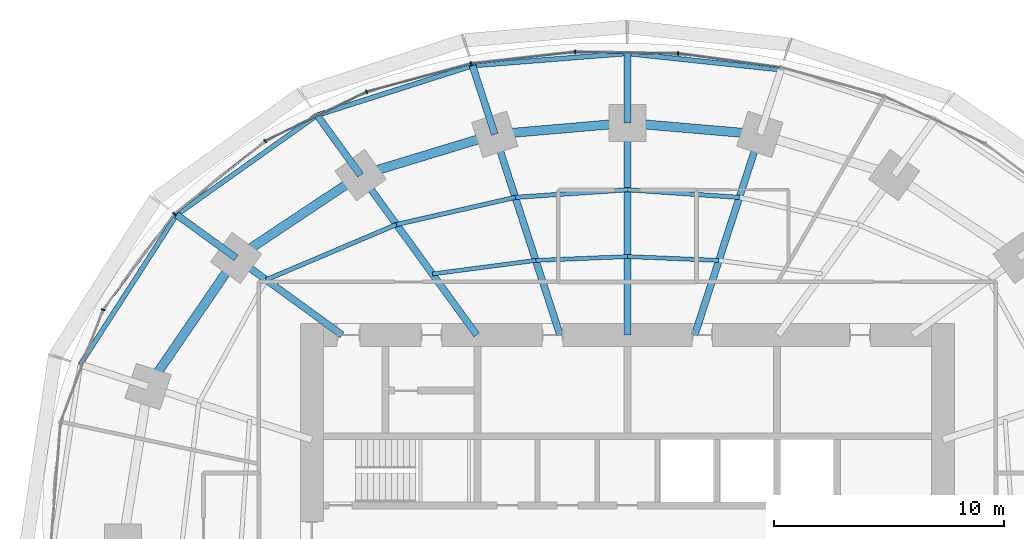
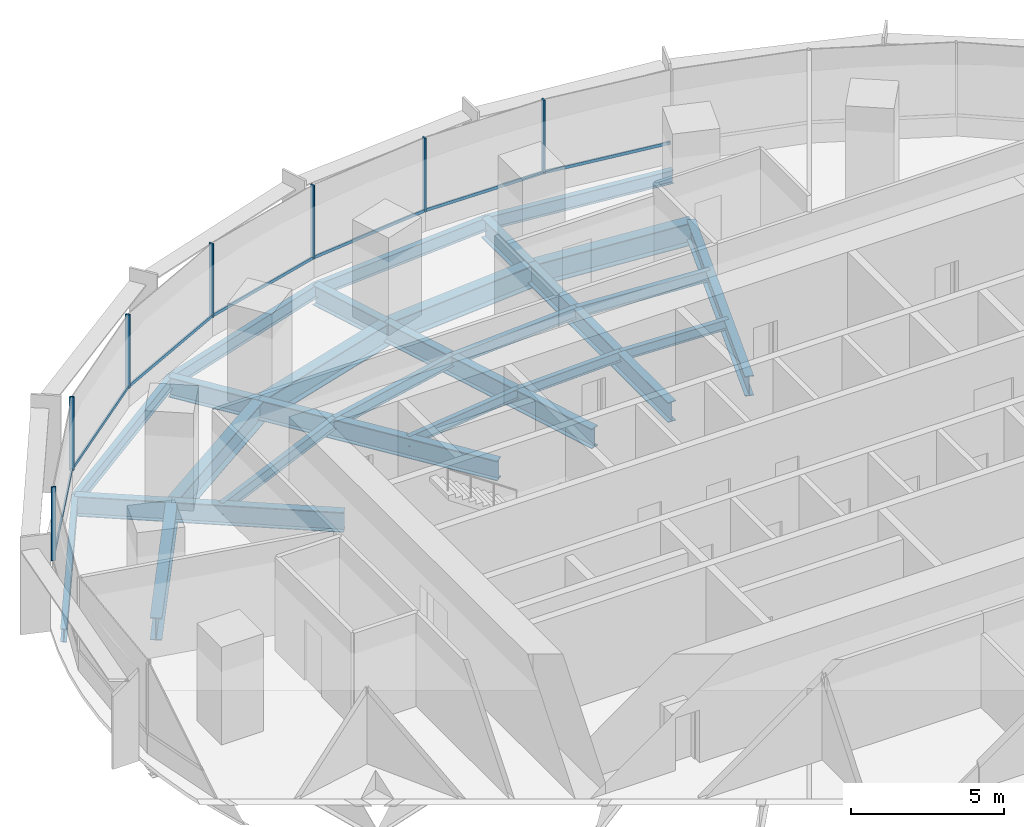
# One storey, part 7 of 14: 26 beams, 14 members, 2 elements without a shape of their own.
"""IFC4 building model written with IfcOpenShell, lengths in metres."""

from ifc_helpers import new_model, si_unit, direction, frame, origin, origin_2d, place, context, subcontext, project, spatial, rectangle, i_section, extrude, material, material_profile, profile_set, type_object, element, aggregate, save


model = new_model("IFC4")

# Units and contexts
model_context = context("Model", 3, precision=1e-05, world=origin(), true_north=direction((0.0, 1.0)))
body_context = subcontext(model_context, "Body", "Model", "MODEL_VIEW")
ifc_project = project(units=[si_unit("LENGTHUNIT", "METRE"), si_unit("AREAUNIT", "SQUARE_METRE"), si_unit("VOLUMEUNIT", "CUBIC_METRE"), si_unit("PLANEANGLEUNIT", "RADIAN"), si_unit("MASSUNIT", "GRAM", prefix="KILO")], contexts=[model_context])

# Site, building, storey
site_placement = place(None, origin())
site = spatial("IfcSite", under=ifc_project, at=site_placement, CompositionType="ELEMENT")
building_placement = place(site_placement, origin())
building = spatial("IfcBuilding", under=site, at=building_placement, Name="Marramba Exchange Tower", CompositionType="ELEMENT")
storey_placement = place(building_placement, frame((0.0, 0.0, 115.800048828125)))
storey = spatial("IfcBuildingStorey", under=building, at=storey_placement, Name="L27", CompositionType="ELEMENT", Elevation=115.800048828125)

# Beams
ifc_material_1 = material(Name="Steel AS/NZS 3679.2 grade 300", Category="steel")
ifc_material_profile_1 = material_profile(ifc_material_1, i_section(OverallWidth=0.300048828125, OverallDepth=0.800048828125, WebThickness=0.013916015625, FlangeThickness=0.031982421875, at=origin_2d()), Name="800WB192")
ifc_profile_set_1 = profile_set([ifc_material_profile_1], Name="Steel AS/NZS 3679.2 grade 300")
beam_type_1 = type_object("IfcBeamType", Name="Cantilever girder 800WB192", PredefinedType="BEAM", material=ifc_profile_set_1)
beam_1_placement = place(storey_placement, frame((0.0, 18.2041015625, -0.56005859375), z_axis=(0.0, 1.0, 0.0), x_axis=(-1.0, 0.0, 0.0)))
element("IfcBeam", 1, at=beam_1_placement, inside=storey, type_object=beam_type_1, Name="Cantilever girder L27 TC06", PredefinedType="BEAM", context=body_context, shape_type="SweptSolid", body=[
    extrude(i_section(OverallWidth=0.300048828125, OverallDepth=0.800048828125, WebThickness=0.013916015625, FlangeThickness=0.031982421875, at=origin_2d()), origin(), (0.0, 0.0, 1.0), 3.01904296875),
])
beam_2_placement = place(storey_placement, frame((-5.75390625, 17.70849609375, -0.56005859375), z_axis=(-0.309028002802, 0.95105293937, 0.0), x_axis=(-0.95105293937, -0.309028002802, 0.0)))
element("IfcBeam", 2, at=beam_2_placement, inside=storey, type_object=beam_type_1, Name="Cantilever girder L27 TC07", PredefinedType="BEAM", context=body_context, shape_type="SweptSolid", body=[
    extrude(i_section(OverallWidth=0.300048828125, OverallDepth=0.800048828125, WebThickness=0.013916015625, FlangeThickness=0.031982421875, at=origin_2d()), origin(), (0.0, 0.0, 1.0), 3.13720703125),
])
beam_3_placement = place(storey_placement, frame((-11.581298828125, 15.9404296875, -0.56005859375), z_axis=(-0.587828447158, 0.808985609706, 0.0), x_axis=(-0.808985609706, -0.587828447158, 0.0)))
element("IfcBeam", 3, at=beam_3_placement, inside=storey, type_object=beam_type_1, Name="Cantilever girder L27 TC08", PredefinedType="BEAM", context=body_context, shape_type="SweptSolid", body=[
    extrude(i_section(OverallWidth=0.300048828125, OverallDepth=0.800048828125, WebThickness=0.013916015625, FlangeThickness=0.031982421875, at=origin_2d()), origin(), (0.0, 0.0, 1.0), 3.214599609375),
])
beam_4_placement = place(storey_placement, frame((-16.98583984375, 12.3408203125, -0.56005859375), z_axis=(-0.809013857915, 0.587789569234, 0.0), x_axis=(-0.587789569234, -0.809013857915, 0.0)))
element("IfcBeam", 4, at=beam_4_placement, inside=storey, type_object=beam_type_1, Name="Cantilever girder L27 TC09", PredefinedType="BEAM", context=body_context, shape_type="SweptSolid", body=[
    extrude(i_section(OverallWidth=0.300048828125, OverallDepth=0.800048828125, WebThickness=0.013916015625, FlangeThickness=0.031982421875, at=origin_2d()), origin(), (0.0, 0.0, 1.0), 3.191650390625),
])
ifc_material_2 = material(Name="Steel AS/NZS 3679.1 grade 300", Category="steel")
ifc_material_profile_2 = material_profile(ifc_material_2, i_section(OverallWidth=0.177978515625, OverallDepth=0.406005859375, WebThickness=0.0078125, FlangeThickness=0.0126953125, FilletRadius=0.011474609375, at=origin_2d()), Name="410UB59.7")
ifc_profile_set_2 = profile_set([ifc_material_profile_2], Name="Steel AS/NZS 3679.1 grade 300")
beam_type_2 = type_object("IfcBeamType", Name="Floor joist 410UB59.7", PredefinedType="JOIST", material=ifc_profile_set_2)
for number, where, z_axis, x_axis, name in (
    (5, (3.975830078125, 12.236083984375, -0.363037109375), (-0.999137002892, 0.041536122257, 0.0), (-0.041536122257, -0.999137002892, 0.0), "Joist L27 bay 05 row 1"),
    (6, (0.0, 12.4013671875, -0.363037109375), (-0.999137002892, -0.041536122257, 0.0), (0.041536122257, -0.999137002892, 0.0), "Joist L27 bay 06 row 1"),
):
    element("IfcBeam", number, at=place(storey_placement, frame(where, z_axis=z_axis, x_axis=x_axis)), inside=storey, type_object=beam_type_2, Name=name, PredefinedType="JOIST", context=body_context, shape_type="SweptSolid", body=[
        extrude(i_section(OverallWidth=0.177978515625, OverallDepth=0.406005859375, WebThickness=0.0078125, FlangeThickness=0.0126953125, FilletRadius=0.011474609375, at=origin_2d()), origin(), (0.0, 0.0, 1.0), 3.979248046875),
    ])
beam_5_placement = place(storey_placement, frame((-3.975830078125, 12.236083984375, -0.363037109375), z_axis=(-0.991480538255, -0.130254912618, 0.0), x_axis=(0.130254912618, -0.991480538255, 0.0)))
element("IfcBeam", 7, at=beam_5_placement, inside=storey, type_object=beam_type_2, Name="Joist L27 bay 07 row 1", PredefinedType="JOIST", context=body_context, shape_type="SweptSolid", body=[
    extrude(i_section(OverallWidth=0.177978515625, OverallDepth=0.406005859375, WebThickness=0.0078125, FlangeThickness=0.0126953125, FilletRadius=0.011474609375, at=origin_2d()), origin(), (0.0, 0.0, 1.0), 4.524658203125),
])
ifc_material_profile_3 = material_profile(ifc_material_2, i_section(OverallWidth=0.18994140625, OverallDepth=0.4541015625, WebThickness=0.008544921875, FlangeThickness=0.0126953125, FilletRadius=0.011474609375, at=origin_2d()), Name="460UB67.1")
ifc_profile_set_3 = profile_set([ifc_material_profile_3], Name="Steel AS/NZS 3679.1 grade 300")
beam_type_3 = type_object("IfcBeamType", Name="Floor joist 460UB67.1", PredefinedType="JOIST", material=ifc_profile_set_3)
for number, where, z_axis, x_axis, name in (
    (8, (4.86474609375, 14.972412109375, -0.386962890625), (-0.997702652202, 0.067745241816, 0.0), (-0.067745241816, -0.997702652202, 0.0), "Joist L27 bay 05 row 2"),
    (9, (0.0, 15.302734375, -0.386962890625), (-0.997702652202, -0.067745241816, 0.0), (0.067745241816, -0.997702652202, 0.0), "Joist L27 bay 06 row 2"),
):
    element("IfcBeam", number, at=place(storey_placement, frame(where, z_axis=z_axis, x_axis=x_axis)), inside=storey, type_object=beam_type_3, Name=name, PredefinedType="JOIST", context=body_context, shape_type="SweptSolid", body=[
        extrude(i_section(OverallWidth=0.18994140625, OverallDepth=0.4541015625, WebThickness=0.008544921875, FlangeThickness=0.0126953125, FilletRadius=0.011474609375, at=origin_2d()), origin(), (0.0, 0.0, 1.0), 4.8759765625),
    ])
beam_6_placement = place(storey_placement, frame((-4.86474609375, 14.972412109375, -0.386962890625), z_axis=(-0.974859652292, -0.222819788916, 0.0), x_axis=(0.222819788916, -0.974859652292, 0.0)))
element("IfcBeam", 10, at=beam_6_placement, inside=storey, type_object=beam_type_3, Name="Joist L27 bay 07 row 2", PredefinedType="JOIST", context=body_context, shape_type="SweptSolid", body=[
    extrude(i_section(OverallWidth=0.18994140625, OverallDepth=0.4541015625, WebThickness=0.008544921875, FlangeThickness=0.0126953125, FilletRadius=0.011474609375, at=origin_2d()), origin(), (0.0, 0.0, 1.0), 5.2900390625),
])
beam_7_placement = place(storey_placement, frame((-10.021728515625, 13.793701171875, -0.386962890625), z_axis=(-0.920674336375, -0.390331610738, 0.0), x_axis=(0.390331610738, -0.920674336375, 0.0)))
element("IfcBeam", 11, at=beam_7_placement, inside=storey, type_object=beam_type_3, Name="Joist L27 bay 08 row 2", PredefinedType="JOIST", context=body_context, shape_type="SweptSolid", body=[
    extrude(i_section(OverallWidth=0.18994140625, OverallDepth=0.4541015625, WebThickness=0.008544921875, FlangeThickness=0.0126953125, FilletRadius=0.011474609375, at=origin_2d()), origin(), (0.0, 0.0, 1.0), 6.1484375),
])

# Curtain wall, members
ifc_material_3 = material(Name="Aluminium framing, bronze anodised", Category="aluminium")
curtain_wall_type = type_object("IfcCurtainWallType", Name="Office ribbon curtain wall", PredefinedType="USERDEFINED", material=ifc_material_3)
curtain_wall_1_placement = place(storey_placement, origin())
curtain_wall_1 = element("IfcCurtainWall", 12, at=curtain_wall_1_placement, inside=storey, type_object=curtain_wall_type, Name="Curtain wall CW4 L27 F06-F10", ObjectType="RIBBON CURTAIN WALL", PredefinedType="USERDEFINED")
ifc_material_4 = material(Name="Aluminium mullion, bronze anodised", Category="aluminium")
ifc_material_profile_4 = material_profile(ifc_material_4, rectangle(XDim=0.159912109375, YDim=0.06005859375, at=origin_2d()), Name="CW4 mullion 60x160")
ifc_profile_set_4 = profile_set([ifc_material_profile_4], Name="Aluminium mullion, bronze anodised")
member_type_1 = type_object("IfcMemberType", Name="Office ribbon curtain wall mullion", PredefinedType="MULLION", material=ifc_profile_set_4)
member_1_placement = place(storey_placement, frame((2.200439453125, 21.2216796875, 0.800048828125), z_axis=(0.0, 0.0, 1.0), x_axis=(-0.01575578169, -0.999875869968, 0.0)))
member_1 = element("IfcMember", 13, at=member_1_placement, type_object=member_type_1, Name="CW4 mullion 1", PredefinedType="MULLION", context=body_context, shape_type="SweptSolid", body=[
    extrude(rectangle(XDim=0.159912109375, YDim=0.06005859375, at=origin_2d()), origin(), (0.0, 0.0, 1.0), 2.93994140625),
])
member_2_placement = place(storey_placement, frame((-2.267578125, 21.288330078125, 0.800048828125), z_axis=(0.0, 0.0, 1.0), x_axis=(0.110973233233, -0.993823395532, 0.0)))
member_2 = element("IfcMember", 14, at=member_2_placement, type_object=member_type_1, Name="CW4 mullion 1", PredefinedType="MULLION", context=body_context, shape_type="SweptSolid", body=[
    extrude(rectangle(XDim=0.159912109375, YDim=0.06005859375, at=origin_2d()), origin(), (0.0, 0.0, 1.0), 2.93994140625),
])
member_3_placement = place(storey_placement, frame((-6.783203125, 20.779541015625, 0.800048828125), z_axis=(0.0, 0.0, 1.0), x_axis=(0.260321294588, -0.965522047176, 0.0)))
member_3 = element("IfcMember", 15, at=member_3_placement, type_object=member_type_1, Name="CW4 mullion 1", PredefinedType="MULLION", context=body_context, shape_type="SweptSolid", body=[
    extrude(rectangle(XDim=0.159912109375, YDim=0.06005859375, at=origin_2d()), origin(), (0.0, 0.0, 1.0), 2.93994140625),
])

curtain_wall_2_placement = place(storey_placement, origin())
curtain_wall_2 = element("IfcCurtainWall", 16, at=curtain_wall_2_placement, inside=storey, type_object=curtain_wall_type, Name="Curtain wall CW4 L27 F11-F15", ObjectType="RIBBON CURTAIN WALL", PredefinedType="USERDEFINED")
member_4_placement = place(storey_placement, frame((-11.32177734375, 19.550048828125, 0.800048828125), z_axis=(0.0, 0.0, 1.0), x_axis=(0.435427626771, -0.900223739881, 0.0)))
member_4 = element("IfcMember", 17, at=member_4_placement, type_object=member_type_1, Name="CW4 mullion 1", PredefinedType="MULLION", context=body_context, shape_type="SweptSolid", body=[
    extrude(rectangle(XDim=0.159912109375, YDim=0.06005859375, at=origin_2d()), origin(), (0.0, 0.0, 1.0), 2.93994140625),
])
member_5_placement = place(storey_placement, frame((-15.720703125, 17.414794921875, 0.800048828125), z_axis=(0.0, 0.0, 1.0), x_axis=(0.624307950145, -0.78117833008, 0.0)))
member_5 = element("IfcMember", 18, at=member_5_placement, type_object=member_type_1, Name="CW4 mullion 1", PredefinedType="MULLION", context=body_context, shape_type="SweptSolid", body=[
    extrude(rectangle(XDim=0.159912109375, YDim=0.06005859375, at=origin_2d()), origin(), (0.0, 0.0, 1.0), 2.93994140625),
])
member_6_placement = place(storey_placement, frame((-19.666748046875, 14.251708984375, 0.800048828125), z_axis=(0.0, 0.0, 1.0), x_axis=(0.80171686484, -0.597703997504, 0.0)))
member_6 = element("IfcMember", 19, at=member_6_placement, type_object=member_type_1, Name="CW4 mullion 1", PredefinedType="MULLION", context=body_context, shape_type="SweptSolid", body=[
    extrude(rectangle(XDim=0.159912109375, YDim=0.06005859375, at=origin_2d()), origin(), (0.0, 0.0, 1.0), 2.93994140625),
])
member_7_placement = place(storey_placement, frame((-22.75341796875, 10.09765625, 0.800048828125), z_axis=(0.0, 0.0, 1.0), x_axis=(0.934925346317, -0.354844468484, 0.0)))
member_7 = element("IfcMember", 20, at=member_7_placement, type_object=member_type_1, Name="CW4 mullion 1", PredefinedType="MULLION", context=body_context, shape_type="SweptSolid", body=[
    extrude(rectangle(XDim=0.159912109375, YDim=0.06005859375, at=origin_2d()), origin(), (0.0, 0.0, 1.0), 2.93994140625),
])

# Member
ifc_material_5 = material(Name="Aluminium transom, bronze anodised", Category="aluminium")
ifc_material_profile_5 = material_profile(ifc_material_5, rectangle(XDim=0.06005859375, YDim=0.1201171875, at=origin_2d()), Name="CW4 transom 60x120")
ifc_profile_set_5 = profile_set([ifc_material_profile_5], Name="Aluminium transom, bronze anodised")
member_type_2 = type_object("IfcMemberType", Name="Office ribbon curtain wall transom", PredefinedType="USERDEFINED", material=ifc_profile_set_5)
member_8_placement = place(storey_placement, frame((6.636962890625, 20.6171875, 0.829833984375), z_axis=(-0.990736067897, 0.135801486619, 0.0), x_axis=(-0.135801486619, -0.990736067897, 0.0)))
member_8 = element("IfcMember", 21, at=member_8_placement, type_object=member_type_2, Name="CW4 sill transom", ObjectType="TRANSOM", PredefinedType="USERDEFINED", context=body_context, shape_type="SweptSolid", body=[
    extrude(rectangle(XDim=0.06005859375, YDim=0.1201171875, at=origin_2d()), origin(), (0.0, 0.0, 1.0), 4.44775390625),
])

member_9_placement = place(storey_placement, frame((2.17041015625, 21.22216796875, 0.829833984375), z_axis=(-0.999875452363, 0.015782260962, 0.0), x_axis=(-0.015782260962, -0.999875452363, 0.0)))
member_9 = element("IfcMember", 22, at=member_9_placement, type_object=member_type_2, Name="CW4 sill transom", ObjectType="TRANSOM", PredefinedType="USERDEFINED", context=body_context, shape_type="SweptSolid", body=[
    extrude(rectangle(XDim=0.06005859375, YDim=0.1201171875, at=origin_2d()), origin(), (0.0, 0.0, 1.0), 4.40869140625),
])

member_10_placement = place(storey_placement, frame((-2.29736328125, 21.284912109375, 0.829833984375), z_axis=(-0.993825837835, -0.110951358943, 0.0), x_axis=(0.110951358943, -0.993825837835, 0.0)))
member_10 = element("IfcMember", 23, at=member_10_placement, type_object=member_type_2, Name="CW4 sill transom", ObjectType="TRANSOM", PredefinedType="USERDEFINED", context=body_context, shape_type="SweptSolid", body=[
    extrude(rectangle(XDim=0.06005859375, YDim=0.1201171875, at=origin_2d()), origin(), (0.0, 0.0, 1.0), 4.484375),
])

member_11_placement = place(storey_placement, frame((-6.812255859375, 20.771728515625, 0.829833984375), z_axis=(-0.965511085148, -0.260361948942, 0.0), x_axis=(0.260361948942, -0.965511085148, 0.0)))
member_11 = element("IfcMember", 24, at=member_11_placement, type_object=member_type_2, Name="CW4 sill transom", ObjectType="TRANSOM", PredefinedType="USERDEFINED", context=body_context, shape_type="SweptSolid", body=[
    extrude(rectangle(XDim=0.06005859375, YDim=0.1201171875, at=origin_2d()), origin(), (0.0, 0.0, 1.0), 4.642578125),
])

aggregate(curtain_wall_1, [member_8, member_1, member_9, member_2, member_10, member_3, member_11])

member_12_placement = place(storey_placement, frame((-11.348876953125, 19.536865234375, 0.829833984375), z_axis=(-0.900223166385, -0.435428812442, 0.0), x_axis=(0.435428812442, -0.900223166385, 0.0)))
member_12 = element("IfcMember", 25, at=member_12_placement, type_object=member_type_2, Name="CW4 sill transom", ObjectType="TRANSOM", PredefinedType="USERDEFINED", context=body_context, shape_type="SweptSolid", body=[
    extrude(rectangle(XDim=0.06005859375, YDim=0.1201171875, at=origin_2d()), origin(), (0.0, 0.0, 1.0), 4.830322265625),
])

member_13_placement = place(storey_placement, frame((-15.744140625, 17.396240234375, 0.829833984375), z_axis=(-0.781164169531, -0.624325668414, 0.0), x_axis=(0.624325668414, -0.781164169531, 0.0)))
member_13 = element("IfcMember", 26, at=member_13_placement, type_object=member_type_2, Name="CW4 sill transom", ObjectType="TRANSOM", PredefinedType="USERDEFINED", context=body_context, shape_type="SweptSolid", body=[
    extrude(rectangle(XDim=0.06005859375, YDim=0.1201171875, at=origin_2d()), origin(), (0.0, 0.0, 1.0), 4.998291015625),
])

member_14_placement = place(storey_placement, frame((-19.6845703125, 14.2275390625, 0.829833984375), z_axis=(-0.597714731658, -0.801708862093, 0.0), x_axis=(0.801708862093, -0.597714731658, 0.0)))
member_14 = element("IfcMember", 27, at=member_14_placement, type_object=member_type_2, Name="CW4 sill transom", ObjectType="TRANSOM", PredefinedType="USERDEFINED", context=body_context, shape_type="SweptSolid", body=[
    extrude(rectangle(XDim=0.06005859375, YDim=0.1201171875, at=origin_2d()), origin(), (0.0, 0.0, 1.0), 5.1162109375),
])

aggregate(curtain_wall_2, [member_4, member_12, member_5, member_13, member_6, member_14, member_7])

# Beams
ifc_material_profile_6 = material_profile(ifc_material_1, i_section(OverallWidth=0.300048828125, OverallDepth=0.800048828125, WebThickness=0.013916015625, FlangeThickness=0.031982421875, at=origin_2d()), Name="800WB192")
ifc_profile_set_6 = profile_set([ifc_material_profile_6], Name="Steel AS/NZS 3679.2 grade 300")
beam_type_4 = type_object("IfcBeamType", Name="Radial girder 800WB192", PredefinedType="BEAM", material=ifc_profile_set_6)
beam_8_placement = place(storey_placement, frame((2.92431640625, 9.0, -0.56005859375), z_axis=(0.309019754162, 0.951055619582, 0.0), x_axis=(-0.951055619582, 0.309019754162, 0.0)))
element("IfcBeam", 28, at=beam_8_placement, inside=storey, type_object=beam_type_4, Name="Radial girder L27 TC05", PredefinedType="BEAM", context=body_context, shape_type="SweptSolid", body=[
    extrude(i_section(OverallWidth=0.300048828125, OverallDepth=0.800048828125, WebThickness=0.013916015625, FlangeThickness=0.031982421875, at=origin_2d()), origin(), (0.0, 0.0, 1.0), 9.15673828125),
])
beam_9_placement = place(storey_placement, frame((0.0, 9.0, -0.56005859375), z_axis=(0.0, 1.0, 0.0), x_axis=(-1.0, 0.0, 0.0)))
element("IfcBeam", 29, at=beam_9_placement, inside=storey, type_object=beam_type_4, Name="Radial girder L27 TC06", PredefinedType="BEAM", context=body_context, shape_type="SweptSolid", body=[
    extrude(i_section(OverallWidth=0.300048828125, OverallDepth=0.800048828125, WebThickness=0.013916015625, FlangeThickness=0.031982421875, at=origin_2d()), origin(), (0.0, 0.0, 1.0), 9.2041015625),
])
beam_10_placement = place(storey_placement, frame((-2.92431640625, 9.0, -0.56005859375), z_axis=(-0.309019754162, 0.951055619582, 0.0), x_axis=(-0.951055619582, -0.309019754162, 0.0)))
element("IfcBeam", 30, at=beam_10_placement, inside=storey, type_object=beam_type_4, Name="Radial girder L27 TC07", PredefinedType="BEAM", context=body_context, shape_type="SweptSolid", body=[
    extrude(i_section(OverallWidth=0.300048828125, OverallDepth=0.800048828125, WebThickness=0.013916015625, FlangeThickness=0.031982421875, at=origin_2d()), origin(), (0.0, 0.0, 1.0), 9.15673828125),
])
beam_11_placement = place(storey_placement, frame((-6.538818359375, 9.0, -0.56005859375), z_axis=(-0.587782439969, 0.80901903764, 0.0), x_axis=(-0.80901903764, -0.587782439969, 0.0)))
element("IfcBeam", 31, at=beam_11_placement, inside=storey, type_object=beam_type_4, Name="Radial girder L27 TC08", PredefinedType="BEAM", context=body_context, shape_type="SweptSolid", body=[
    extrude(i_section(OverallWidth=0.300048828125, OverallDepth=0.800048828125, WebThickness=0.013916015625, FlangeThickness=0.031982421875, at=origin_2d()), origin(), (0.0, 0.0, 1.0), 8.578857421875),
])
beam_12_placement = place(storey_placement, frame((-12.387451171875, 9.0, -0.56005859375), z_axis=(-0.809025746925, 0.587773205252, 0.0), x_axis=(-0.587773205252, -0.809025746925, 0.0)))
element("IfcBeam", 32, at=beam_12_placement, inside=storey, type_object=beam_type_4, Name="Radial girder L27 TC09", PredefinedType="BEAM", context=body_context, shape_type="SweptSolid", body=[
    extrude(i_section(OverallWidth=0.300048828125, OverallDepth=0.800048828125, WebThickness=0.013916015625, FlangeThickness=0.031982421875, at=origin_2d()), origin(), (0.0, 0.0, 1.0), 5.683837890625),
])
ifc_material_profile_7 = material_profile(ifc_material_1, i_section(OverallWidth=0.39990234375, OverallDepth=0.89990234375, WebThickness=0.01611328125, FlangeThickness=0.031982421875, at=origin_2d()), Name="900WB282")
ifc_profile_set_7 = profile_set([ifc_material_profile_7], Name="Steel AS/NZS 3679.2 grade 300")
beam_type_5 = type_object("IfcBeamType", Name="Ring beam 900WB282", PredefinedType="SPANDREL", material=ifc_profile_set_7)
for number, where, z_axis, x_axis, name in (
    (33, (5.75390625, 17.70849609375, -0.610107421875), (-0.996311003275, 0.085815993578, 0.0), (-0.085815993578, -0.996311003275, 0.0), "Ring beam L27 TC05-TC06"),
    (34, (0.0, 18.2041015625, -0.610107421875), (-0.996311003275, -0.085815993578, 0.0), (0.085815993578, -0.996311003275, 0.0), "Ring beam L27 TC06-TC07"),
):
    element("IfcBeam", number, at=place(storey_placement, frame(where, z_axis=z_axis, x_axis=x_axis)), inside=storey, type_object=beam_type_5, Name=name, PredefinedType="SPANDREL", context=body_context, shape_type="SweptSolid", body=[
        extrude(i_section(OverallWidth=0.39990234375, OverallDepth=0.89990234375, WebThickness=0.01611328125, FlangeThickness=0.031982421875, at=origin_2d()), origin(), (0.0, 0.0, 1.0), 5.775146484375),
    ])
beam_13_placement = place(storey_placement, frame((-5.75390625, 17.70849609375, -0.610107421875), z_axis=(-0.956924542524, -0.290336735387, 0.0), x_axis=(0.290336735387, -0.956924542524, 0.0)))
element("IfcBeam", 35, at=beam_13_placement, inside=storey, type_object=beam_type_5, Name="Ring beam L27 TC07-TC08", PredefinedType="SPANDREL", context=body_context, shape_type="SweptSolid", body=[
    extrude(i_section(OverallWidth=0.39990234375, OverallDepth=0.89990234375, WebThickness=0.01611328125, FlangeThickness=0.031982421875, at=origin_2d()), origin(), (0.0, 0.0, 1.0), 6.089599609375),
])
beam_14_placement = place(storey_placement, frame((-11.581298828125, 15.9404296875, -0.610107421875), z_axis=(-0.832293151443, -0.554335737673, 0.0), x_axis=(0.554335737673, -0.832293151443, 0.0)))
element("IfcBeam", 36, at=beam_14_placement, inside=storey, type_object=beam_type_5, Name="Ring beam L27 TC08-TC09", PredefinedType="SPANDREL", context=body_context, shape_type="SweptSolid", body=[
    extrude(i_section(OverallWidth=0.39990234375, OverallDepth=0.89990234375, WebThickness=0.01611328125, FlangeThickness=0.031982421875, at=origin_2d()), origin(), (0.0, 0.0, 1.0), 6.49365234375),
])
beam_15_placement = place(storey_placement, frame((-16.98583984375, 12.3408203125, -0.610107421875), z_axis=(-0.56516002054, -0.824981303535, 0.0), x_axis=(0.824981303535, -0.56516002054, 0.0)))
element("IfcBeam", 37, at=beam_15_placement, inside=storey, type_object=beam_type_5, Name="Ring beam L27 TC09-TC10", PredefinedType="SPANDREL", context=body_context, shape_type="SweptSolid", body=[
    extrude(i_section(OverallWidth=0.39990234375, OverallDepth=0.89990234375, WebThickness=0.01611328125, FlangeThickness=0.031982421875, at=origin_2d()), origin(), (0.0, 0.0, 1.0), 6.763671875),
])
ifc_material_profile_8 = material_profile(ifc_material_2, i_section(OverallWidth=0.208984375, OverallDepth=0.528076171875, WebThickness=0.009521484375, FlangeThickness=0.01318359375, FilletRadius=0.013916015625, at=origin_2d()), Name="530UB82.0")
ifc_profile_set_8 = profile_set([ifc_material_profile_8], Name="Steel AS/NZS 3679.1 grade 300")
beam_type_6 = type_object("IfcBeamType", Name="Slab edge beam 530UB82.0", PredefinedType="SPANDREL", material=ifc_profile_set_8)
beam_16_placement = place(storey_placement, frame((6.66552734375, 20.51416015625, -0.424072265625), z_axis=(-0.994390706415, 0.105769196815, 0.0), x_axis=(-0.105769196815, -0.994390706415, 0.0)))
element("IfcBeam", 38, at=beam_16_placement, inside=storey, type_object=beam_type_6, Name="Slab edge beam L27 TC05-TC06", PredefinedType="SPANDREL", context=body_context, shape_type="SweptSolid", body=[
    extrude(i_section(OverallWidth=0.208984375, OverallDepth=0.528076171875, WebThickness=0.009521484375, FlangeThickness=0.01318359375, FilletRadius=0.013916015625, at=origin_2d()), origin(), (0.0, 0.0, 1.0), 6.703125),
])
beam_17_placement = place(storey_placement, frame((0.0, 21.22314453125, -0.424072265625), z_axis=(-0.996895681721, -0.078733726996, 0.0), x_axis=(0.078733726996, -0.996895681721, 0.0)))
element("IfcBeam", 39, at=beam_17_placement, inside=storey, type_object=beam_type_6, Name="Slab edge beam L27 TC06-TC07", PredefinedType="SPANDREL", context=body_context, shape_type="SweptSolid", body=[
    extrude(i_section(OverallWidth=0.208984375, OverallDepth=0.528076171875, WebThickness=0.009521484375, FlangeThickness=0.01318359375, FilletRadius=0.013916015625, at=origin_2d()), origin(), (0.0, 0.0, 1.0), 6.744384765625),
])
beam_18_placement = place(storey_placement, frame((-6.723388671875, 20.692138671875, -0.424072265625), z_axis=(-0.952755400854, -0.303738614839, 0.0), x_axis=(0.303738614839, -0.952755400854, 0.0)))
element("IfcBeam", 40, at=beam_18_placement, inside=storey, type_object=beam_type_6, Name="Slab edge beam L27 TC07-TC08", PredefinedType="SPANDREL", context=body_context, shape_type="SweptSolid", body=[
    extrude(i_section(OverallWidth=0.208984375, OverallDepth=0.528076171875, WebThickness=0.009521484375, FlangeThickness=0.01318359375, FilletRadius=0.013916015625, at=origin_2d()), origin(), (0.0, 0.0, 1.0), 7.08203125),
])
beam_19_placement = place(storey_placement, frame((-13.470947265625, 18.541015625, -0.424072265625), z_axis=(-0.815673202412, -0.578512944425, 0.0), x_axis=(0.578512944425, -0.815673202412, 0.0)))
element("IfcBeam", 41, at=beam_19_placement, inside=storey, type_object=beam_type_6, Name="Slab edge beam L27 TC08-TC09", PredefinedType="SPANDREL", context=body_context, shape_type="SweptSolid", body=[
    extrude(i_section(OverallWidth=0.208984375, OverallDepth=0.528076171875, WebThickness=0.009521484375, FlangeThickness=0.01318359375, FilletRadius=0.013916015625, at=origin_2d()), origin(), (0.0, 0.0, 1.0), 7.474609375),
])
beam_20_placement = place(storey_placement, frame((-19.56787109375, 14.216796875, -0.424072265625), z_axis=(-0.541060886597, -0.840983422544, 0.0), x_axis=(0.840983422544, -0.541060886597, 0.0)))
element("IfcBeam", 42, at=beam_20_placement, inside=storey, type_object=beam_type_6, Name="Slab edge beam L27 TC09-TC10", PredefinedType="SPANDREL", context=body_context, shape_type="SweptSolid", body=[
    extrude(i_section(OverallWidth=0.208984375, OverallDepth=0.528076171875, WebThickness=0.009521484375, FlangeThickness=0.01318359375, FilletRadius=0.013916015625, at=origin_2d()), origin(), (0.0, 0.0, 1.0), 7.72900390625),
])

save(model, "model.ifc")
